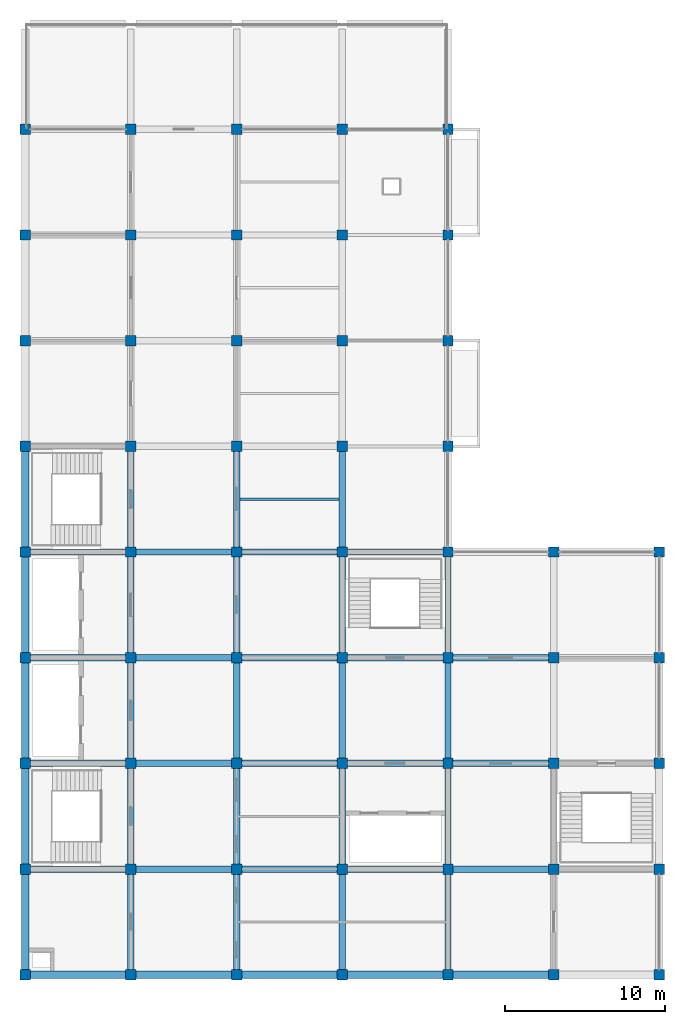
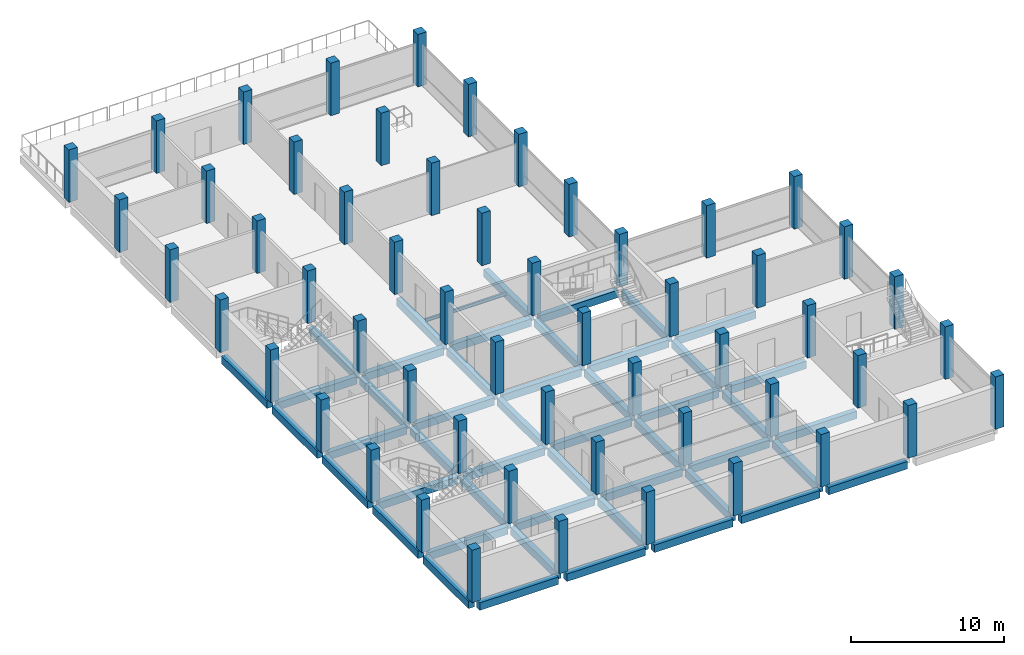
# One storey, part 1 of 11: 55 columns, 49 beams.
"""IFC4 building model written with IfcOpenShell, lengths in metres."""

from ifc_helpers import new_model, si_unit, direction, frame, origin, origin_2d, place, context, subcontext, project, spatial, rectangle, i_section, extrude, material, material_profile, profile_set, type_object, element, save


model = new_model("IFC4")

# Units and contexts
model_context = context("Model", 3, precision=1e-05, world=origin(), true_north=direction((0.0, 1.0)))
body_context = subcontext(model_context, "Body", "Model", "MODEL_VIEW")
ifc_project = project(units=[si_unit("LENGTHUNIT", "METRE"), si_unit("AREAUNIT", "SQUARE_METRE"), si_unit("VOLUMEUNIT", "CUBIC_METRE"), si_unit("PLANEANGLEUNIT", "RADIAN"), si_unit("MASSUNIT", "GRAM", prefix="KILO")], contexts=[model_context])

# Site, building, storey
site_placement = place(None, origin())
site = spatial("IfcSite", under=ifc_project, at=site_placement, CompositionType="ELEMENT")
building_placement = place(site_placement, origin())
building = spatial("IfcBuilding", under=site, at=building_placement, Name="Rusizi Kubbe Research Institute", CompositionType="ELEMENT")
storey_placement = place(building_placement, frame((0.0, 0.0, 56.39990234375)))
storey = spatial("IfcBuildingStorey", under=building, at=storey_placement, Name="L13", CompositionType="ELEMENT", Elevation=56.39990234375)

# Columns
ifc_material_1 = material(Name="Concrete C40/50", Category="concrete")
ifc_material_profile_1 = material_profile(ifc_material_1, rectangle(XDim=0.64990234375, YDim=0.64990234375, at=origin_2d()), Name="RC650x650")
ifc_profile_set_1 = profile_set([ifc_material_profile_1], Name="Concrete C40/50")
column_type = type_object("IfcColumnType", Name="COL-650", PredefinedType="COLUMN", material=ifc_profile_set_1)
for number, where, z_axis, x_axis, name in (
    (1, (0.0, 0.0, 0.0), (0.0, 0.0, 1.0), (1.0, 0.0, 0.0), "Column 1A L13"),
    (2, (0.0, 6.60009765625, 0.0), (0.0, 0.0, 1.0), (1.0, 0.0, 0.0), "Column 1B L13"),
    (3, (0.0, 13.199951171875, 0.0), (0.0, 0.0, 1.0), (1.0, 0.0, 0.0), "Column 1C L13"),
    (4, (0.0, 19.800048828125, 0.0), (0.0, 0.0, 1.0), (1.0, 0.0, 0.0), "Column 1D L13"),
    (5, (0.0, 26.39990234375, 0.0), (0.0, 0.0, 1.0), (1.0, 0.0, 0.0), "Column 1E L13"),
    (6, (0.0, 33.0, 0.0), (0.0, 0.0, 1.0), (1.0, 0.0, 0.0), "Column 1F L13"),
    (7, (0.0, 39.60009765625, 0.0), (0.0, 0.0, 1.0), (1.0, 0.0, 0.0), "Column 1G L13"),
    (8, (0.0, 46.199951171875, 0.0), (0.0, 0.0, 1.0), (1.0, 0.0, 0.0), "Column 1H L13"),
    (9, (0.0, 52.800048828125, 0.0), (0.0, 0.0, 1.0), (1.0, 0.0, 0.0), "Column 1J L13"),
    (10, (6.60009765625, 0.0, 0.0), (0.0, 0.0, 1.0), (1.0, 0.0, 0.0), "Column 2A L13"),
    (11, (6.60009765625, 6.60009765625, 0.0), (0.0, 0.0, 1.0), (1.0, 0.0, 0.0), "Column 2B L13"),
    (12, (6.60009765625, 13.199951171875, 0.0), (0.0, 0.0, 1.0), (1.0, 0.0, 0.0), "Column 2C L13"),
    (13, (6.60009765625, 19.800048828125, 0.0), (0.0, 0.0, 1.0), (1.0, 0.0, 0.0), "Column 2D L13"),
    (14, (6.60009765625, 26.39990234375, 0.0), (0.0, 0.0, 1.0), (1.0, 0.0, 0.0), "Column 2E L13"),
    (15, (6.60009765625, 33.0, 0.0), (0.0, 0.0, 1.0), (1.0, 0.0, 0.0), "Column 2F L13"),
    (16, (6.60009765625, 39.60009765625, 0.0), (0.0, 0.0, 1.0), (1.0, 0.0, 0.0), "Column 2G L13"),
    (17, (6.60009765625, 46.199951171875, 0.0), (0.0, 0.0, 1.0), (1.0, 0.0, 0.0), "Column 2H L13"),
    (18, (6.60009765625, 52.800048828125, 0.0), (0.0, 0.0, 1.0), (1.0, 0.0, 0.0), "Column 2J L13"),
    (19, (13.199951171875, 0.0, 0.0), (0.0, 0.0, 1.0), (1.0, 0.0, 0.0), "Column 3A L13"),
    (20, (13.199951171875, 6.60009765625, 0.0), (0.0, 0.0, 1.0), (1.0, 0.0, 0.0), "Column 3B L13"),
    (21, (13.199951171875, 13.199951171875, 0.0), (0.0, 0.0, 1.0), (1.0, 0.0, 0.0), "Column 3C L13"),
    (22, (13.199951171875, 19.800048828125, 0.0), (0.0, 0.0, 1.0), (1.0, 0.0, 0.0), "Column 3D L13"),
    (23, (13.199951171875, 26.39990234375, 0.0), (0.0, 0.0, 1.0), (1.0, 0.0, 0.0), "Column 3E L13"),
    (24, (13.199951171875, 33.0, 0.0), (0.0, 0.0, 1.0), (1.0, 0.0, 0.0), "Column 3F L13"),
    (25, (13.199951171875, 39.60009765625, 0.0), (0.0, 0.0, 1.0), (1.0, 0.0, 0.0), "Column 3G L13"),
    (26, (13.199951171875, 46.199951171875, 0.0), (0.0, 0.0, 1.0), (1.0, 0.0, 0.0), "Column 3H L13"),
    (27, (13.199951171875, 52.800048828125, 0.0), (0.0, 0.0, 1.0), (1.0, 0.0, 0.0), "Column 3J L13"),
    (28, (19.800048828125, 0.0, 0.0), (0.0, 0.0, 1.0), (1.0, 0.0, 0.0), "Column 4A L13"),
    (29, (19.800048828125, 6.60009765625, 0.0), (0.0, 0.0, 1.0), (1.0, 0.0, 0.0), "Column 4B L13"),
    (30, (19.800048828125, 13.199951171875, 0.0), (0.0, 0.0, 1.0), (1.0, 0.0, 0.0), "Column 4C L13"),
    (31, (19.800048828125, 19.800048828125, 0.0), (0.0, 0.0, 1.0), (1.0, 0.0, 0.0), "Column 4D L13"),
    (32, (19.800048828125, 26.39990234375, 0.0), (0.0, 0.0, 1.0), (1.0, 0.0, 0.0), "Column 4E L13"),
    (33, (19.800048828125, 33.0, 0.0), (0.0, 0.0, 1.0), (1.0, 0.0, 0.0), "Column 4F L13"),
    (34, (19.800048828125, 39.60009765625, 0.0), (0.0, 0.0, 1.0), (1.0, 0.0, 0.0), "Column 4G L13"),
    (35, (19.800048828125, 46.199951171875, 0.0), (0.0, 0.0, 1.0), (1.0, 0.0, 0.0), "Column 4H L13"),
    (36, (19.800048828125, 52.800048828125, 0.0), (0.0, 0.0, 1.0), (1.0, 0.0, 0.0), "Column 4J L13"),
    (37, (26.39990234375, 0.0, 0.0), (0.0, 0.0, 1.0), (1.0, 0.0, 0.0), "Column 5A L13"),
    (38, (26.39990234375, 6.60009765625, 0.0), (0.0, 0.0, 1.0), (1.0, 0.0, 0.0), "Column 5B L13"),
    (39, (26.39990234375, 13.199951171875, 0.0), (0.0, 0.0, 1.0), (1.0, 0.0, 0.0), "Column 5C L13"),
    (40, (26.39990234375, 19.800048828125, 0.0), (0.0, 0.0, 1.0), (1.0, 0.0, 0.0), "Column 5D L13"),
    (41, (26.39990234375, 26.39990234375, 0.0), (0.0, 0.0, 1.0), (1.0, 0.0, 0.0), "Column 5E L13"),
    (42, (26.39990234375, 33.0, 0.0), (0.0, 0.0, 1.0), (1.0, 0.0, 0.0), "Column 5F L13"),
    (43, (26.39990234375, 39.60009765625, 0.0), (0.0, 0.0, 1.0), (1.0, 0.0, 0.0), "Column 5G L13"),
    (44, (26.39990234375, 46.199951171875, 0.0), (0.0, 0.0, 1.0), (1.0, 0.0, 0.0), "Column 5H L13"),
    (45, (26.39990234375, 52.800048828125, 0.0), (0.0, 0.0, 1.0), (1.0, 0.0, 0.0), "Column 5J L13"),
    (46, (33.0, 0.0, 0.0), (0.0, 0.0, 1.0), (1.0, 0.0, 0.0), "Column 6A L13"),
    (47, (33.0, 6.60009765625, 0.0), (0.0, 0.0, 1.0), (1.0, 0.0, 0.0), "Column 6B L13"),
    (48, (33.0, 13.199951171875, 0.0), (0.0, 0.0, 1.0), (1.0, 0.0, 0.0), "Column 6C L13"),
    (49, (33.0, 19.800048828125, 0.0), (0.0, 0.0, 1.0), (1.0, 0.0, 0.0), "Column 6D L13"),
    (50, (33.0, 26.39990234375, 0.0), (0.0, 0.0, 1.0), (1.0, 0.0, 0.0), "Column 6E L13"),
    (51, (39.60009765625, 0.0, 0.0), (0.0, 0.0, 1.0), (1.0, 0.0, 0.0), "Column 7A L13"),
    (52, (39.60009765625, 6.60009765625, 0.0), (0.0, 0.0, 1.0), (1.0, 0.0, 0.0), "Column 7B L13"),
    (53, (39.60009765625, 13.199951171875, 0.0), (0.0, 0.0, 1.0), (1.0, 0.0, 0.0), "Column 7C L13"),
    (54, (39.60009765625, 19.800048828125, 0.0), (0.0, 0.0, 1.0), (1.0, 0.0, 0.0), "Column 7D L13"),
    (55, (39.60009765625, 26.39990234375, 0.0), (0.0, 0.0, 1.0), (1.0, 0.0, 0.0), "Column 7E L13"),
):
    element("IfcColumn", number, at=place(storey_placement, frame(where, z_axis=z_axis, x_axis=x_axis)), inside=storey, type_object=column_type, Name=name, PredefinedType="COLUMN", context=body_context, shape_type="SweptSolid", body=[
        extrude(rectangle(XDim=0.64990234375, YDim=0.64990234375, at=origin_2d()), origin(), (0.0, 0.0, 1.0), 4.2001953125),
    ])

# Beams
ifc_material_2 = material(Name="Steel S355", Category="steel")
ifc_material_profile_2 = material_profile(ifc_material_2, i_section(OverallWidth=0.135009765625, OverallDepth=0.27001953125, WebThickness=0.006591796875, FlangeThickness=0.01025390625, at=origin_2d()), Name="IPE 270")
ifc_profile_set_2 = profile_set([ifc_material_profile_2], Name="Steel S355")
beam_type_1 = type_object("IfcBeamType", Name="BM-IPE270", PredefinedType="JOIST", material=ifc_profile_set_2)
beam_1_placement = place(storey_placement, frame((13.39990234375, 29.699951171875, -0.434814453125), z_axis=(1.0, 0.0, 0.0), x_axis=(0.0, 1.0, 0.0)))
element("IfcBeam", 56, at=beam_1_placement, inside=storey, type_object=beam_type_1, Name="Lab Stiffener Joist L13 (2,4)", PredefinedType="JOIST", context=body_context, shape_type="SweptSolid", body=[
    extrude(i_section(OverallWidth=0.135009765625, OverallDepth=0.27001953125, WebThickness=0.006591796875, FlangeThickness=0.01025390625, at=origin_2d()), origin(), (0.0, 0.0, 1.0), 6.2001953125),
])
ifc_material_3 = material(Name="Concrete C40/50", Category="concrete")
ifc_material_profile_3 = material_profile(ifc_material_3, rectangle(XDim=0.39990234375, YDim=0.60009765625, at=origin_2d()), Name="RC400x600")
ifc_profile_set_3 = profile_set([ifc_material_profile_3], Name="Concrete C40/50")
beam_type_2 = type_object("IfcBeamType", Name="BM-RC400x600", PredefinedType="BEAM", material=ifc_profile_set_3)
for number, where, z_axis, x_axis, name in (
    (57, (0.324951171875, 6.60009765625, -0.599853515625), (1.0, 0.0, 0.0), (0.0, 1.0, 0.0), "Grid Beam H L13 (0,1)"),
    (58, (0.324951171875, 13.199951171875, -0.599853515625), (1.0, 0.0, 0.0), (0.0, 1.0, 0.0), "Grid Beam H L13 (0,2)"),
    (59, (0.324951171875, 19.800048828125, -0.599853515625), (1.0, 0.0, 0.0), (0.0, 1.0, 0.0), "Grid Beam H L13 (0,3)"),
    (60, (0.324951171875, 26.39990234375, -0.599853515625), (1.0, 0.0, 0.0), (0.0, 1.0, 0.0), "Grid Beam H L13 (0,4)"),
    (61, (6.925048828125, 6.60009765625, -0.599853515625), (1.0, 0.0, 0.0), (0.0, 1.0, 0.0), "Grid Beam H L13 (1,1)"),
    (62, (6.925048828125, 13.199951171875, -0.599853515625), (1.0, 0.0, 0.0), (0.0, 1.0, 0.0), "Grid Beam H L13 (1,2)"),
    (63, (6.925048828125, 19.800048828125, -0.599853515625), (1.0, 0.0, 0.0), (0.0, 1.0, 0.0), "Grid Beam H L13 (1,3)"),
    (64, (6.925048828125, 26.39990234375, -0.599853515625), (1.0, 0.0, 0.0), (0.0, 1.0, 0.0), "Grid Beam H L13 (1,4)"),
):
    element("IfcBeam", number, at=place(storey_placement, frame(where, z_axis=z_axis, x_axis=x_axis)), inside=storey, type_object=beam_type_2, Name=name, PredefinedType="BEAM", context=body_context, shape_type="SweptSolid", body=[
        extrude(rectangle(XDim=0.39990234375, YDim=0.60009765625, at=origin_2d()), origin(), (0.0, 0.0, 1.0), 5.949951171875),
    ])
for number, where, z_axis, x_axis, name in (
    (65, (13.52490234375, 6.60009765625, -0.599853515625), (1.0, 0.0, 0.0), (0.0, 1.0, 0.0), "Grid Beam H L13 (2,1)"),
    (66, (13.52490234375, 13.199951171875, -0.599853515625), (1.0, 0.0, 0.0), (0.0, 1.0, 0.0), "Grid Beam H L13 (2,2)"),
    (67, (13.52490234375, 19.800048828125, -0.599853515625), (1.0, 0.0, 0.0), (0.0, 1.0, 0.0), "Grid Beam H L13 (2,3)"),
    (68, (13.52490234375, 26.39990234375, -0.599853515625), (1.0, 0.0, 0.0), (0.0, 1.0, 0.0), "Grid Beam H L13 (2,4)"),
):
    element("IfcBeam", number, at=place(storey_placement, frame(where, z_axis=z_axis, x_axis=x_axis)), inside=storey, type_object=beam_type_2, Name=name, PredefinedType="BEAM", context=body_context, shape_type="SweptSolid", body=[
        extrude(rectangle(XDim=0.39990234375, YDim=0.60009765625, at=origin_2d()), origin(), (0.0, 0.0, 1.0), 5.9501953125),
    ])
for number, where, z_axis, x_axis, name in (
    (69, (20.125, 6.60009765625, -0.599853515625), (1.0, 0.0, 0.0), (0.0, 1.0, 0.0), "Grid Beam H L13 (3,1)"),
    (70, (20.125, 13.199951171875, -0.599853515625), (1.0, 0.0, 0.0), (0.0, 1.0, 0.0), "Grid Beam H L13 (3,2)"),
    (71, (20.125, 19.800048828125, -0.599853515625), (1.0, 0.0, 0.0), (0.0, 1.0, 0.0), "Grid Beam H L13 (3,3)"),
    (72, (20.125, 26.39990234375, -0.599853515625), (1.0, 0.0, 0.0), (0.0, 1.0, 0.0), "Grid Beam H L13 (3,4)"),
    (73, (26.72509765625, 6.60009765625, -0.599853515625), (1.0, 0.0, 0.0), (0.0, 1.0, 0.0), "Grid Beam H L13 (4,1)"),
    (74, (26.72509765625, 13.199951171875, -0.599853515625), (1.0, 0.0, 0.0), (0.0, 1.0, 0.0), "Grid Beam H L13 (4,2)"),
    (75, (26.72509765625, 19.800048828125, -0.599853515625), (1.0, 0.0, 0.0), (0.0, 1.0, 0.0), "Grid Beam H L13 (4,3)"),
    (76, (6.60009765625, 0.324951171875, -0.599853515625), (0.0, 1.0, 0.0), (-1.0, 0.0, 0.0), "Grid Beam V L13 (1,0)"),
    (77, (6.60009765625, 6.925048828125, -0.599853515625), (0.0, 1.0, 0.0), (-1.0, 0.0, 0.0), "Grid Beam V L13 (1,1)"),
):
    element("IfcBeam", number, at=place(storey_placement, frame(where, z_axis=z_axis, x_axis=x_axis)), inside=storey, type_object=beam_type_2, Name=name, PredefinedType="BEAM", context=body_context, shape_type="SweptSolid", body=[
        extrude(rectangle(XDim=0.39990234375, YDim=0.60009765625, at=origin_2d()), origin(), (0.0, 0.0, 1.0), 5.949951171875),
    ])
beam_2_placement = place(storey_placement, frame((6.60009765625, 13.52490234375, -0.599853515625), z_axis=(0.0, 1.0, 0.0), x_axis=(-1.0, 0.0, 0.0)))
element("IfcBeam", 78, at=beam_2_placement, inside=storey, type_object=beam_type_2, Name="Grid Beam V L13 (1,2)", PredefinedType="BEAM", context=body_context, shape_type="SweptSolid", body=[
    extrude(rectangle(XDim=0.39990234375, YDim=0.60009765625, at=origin_2d()), origin(), (0.0, 0.0, 1.0), 5.9501953125),
])
for number, where, z_axis, x_axis, name in (
    (79, (6.60009765625, 20.125, -0.599853515625), (0.0, 1.0, 0.0), (-1.0, 0.0, 0.0), "Grid Beam V L13 (1,3)"),
    (80, (6.60009765625, 26.72509765625, -0.599853515625), (0.0, 1.0, 0.0), (-1.0, 0.0, 0.0), "Grid Beam V L13 (1,4)"),
    (81, (13.199951171875, 0.324951171875, -0.599853515625), (0.0, 1.0, 0.0), (-1.0, 0.0, 0.0), "Grid Beam V L13 (2,0)"),
    (82, (13.199951171875, 6.925048828125, -0.599853515625), (0.0, 1.0, 0.0), (-1.0, 0.0, 0.0), "Grid Beam V L13 (2,1)"),
):
    element("IfcBeam", number, at=place(storey_placement, frame(where, z_axis=z_axis, x_axis=x_axis)), inside=storey, type_object=beam_type_2, Name=name, PredefinedType="BEAM", context=body_context, shape_type="SweptSolid", body=[
        extrude(rectangle(XDim=0.39990234375, YDim=0.60009765625, at=origin_2d()), origin(), (0.0, 0.0, 1.0), 5.949951171875),
    ])
beam_3_placement = place(storey_placement, frame((13.199951171875, 13.52490234375, -0.599853515625), z_axis=(0.0, 1.0, 0.0), x_axis=(-1.0, 0.0, 0.0)))
element("IfcBeam", 83, at=beam_3_placement, inside=storey, type_object=beam_type_2, Name="Grid Beam V L13 (2,2)", PredefinedType="BEAM", context=body_context, shape_type="SweptSolid", body=[
    extrude(rectangle(XDim=0.39990234375, YDim=0.60009765625, at=origin_2d()), origin(), (0.0, 0.0, 1.0), 5.9501953125),
])
for number, where, z_axis, x_axis, name in (
    (84, (13.199951171875, 20.125, -0.599853515625), (0.0, 1.0, 0.0), (-1.0, 0.0, 0.0), "Grid Beam V L13 (2,3)"),
    (85, (13.199951171875, 26.72509765625, -0.599853515625), (0.0, 1.0, 0.0), (-1.0, 0.0, 0.0), "Grid Beam V L13 (2,4)"),
    (86, (19.800048828125, 0.324951171875, -0.599853515625), (0.0, 1.0, 0.0), (-1.0, 0.0, 0.0), "Grid Beam V L13 (3,0)"),
    (87, (19.800048828125, 6.925048828125, -0.599853515625), (0.0, 1.0, 0.0), (-1.0, 0.0, 0.0), "Grid Beam V L13 (3,1)"),
):
    element("IfcBeam", number, at=place(storey_placement, frame(where, z_axis=z_axis, x_axis=x_axis)), inside=storey, type_object=beam_type_2, Name=name, PredefinedType="BEAM", context=body_context, shape_type="SweptSolid", body=[
        extrude(rectangle(XDim=0.39990234375, YDim=0.60009765625, at=origin_2d()), origin(), (0.0, 0.0, 1.0), 5.949951171875),
    ])
beam_4_placement = place(storey_placement, frame((19.800048828125, 13.52490234375, -0.599853515625), z_axis=(0.0, 1.0, 0.0), x_axis=(-1.0, 0.0, 0.0)))
element("IfcBeam", 88, at=beam_4_placement, inside=storey, type_object=beam_type_2, Name="Grid Beam V L13 (3,2)", PredefinedType="BEAM", context=body_context, shape_type="SweptSolid", body=[
    extrude(rectangle(XDim=0.39990234375, YDim=0.60009765625, at=origin_2d()), origin(), (0.0, 0.0, 1.0), 5.9501953125),
])
for number, where, z_axis, x_axis, name in (
    (89, (19.800048828125, 20.125, -0.599853515625), (0.0, 1.0, 0.0), (-1.0, 0.0, 0.0), "Grid Beam V L13 (3,3)"),
    (90, (19.800048828125, 26.72509765625, -0.599853515625), (0.0, 1.0, 0.0), (-1.0, 0.0, 0.0), "Grid Beam V L13 (3,4)"),
    (91, (26.39990234375, 0.324951171875, -0.599853515625), (0.0, 1.0, 0.0), (-1.0, 0.0, 0.0), "Grid Beam V L13 (4,0)"),
    (92, (26.39990234375, 6.925048828125, -0.599853515625), (0.0, 1.0, 0.0), (-1.0, 0.0, 0.0), "Grid Beam V L13 (4,1)"),
):
    element("IfcBeam", number, at=place(storey_placement, frame(where, z_axis=z_axis, x_axis=x_axis)), inside=storey, type_object=beam_type_2, Name=name, PredefinedType="BEAM", context=body_context, shape_type="SweptSolid", body=[
        extrude(rectangle(XDim=0.39990234375, YDim=0.60009765625, at=origin_2d()), origin(), (0.0, 0.0, 1.0), 5.949951171875),
    ])
beam_5_placement = place(storey_placement, frame((26.39990234375, 13.52490234375, -0.599853515625), z_axis=(0.0, 1.0, 0.0), x_axis=(-1.0, 0.0, 0.0)))
element("IfcBeam", 93, at=beam_5_placement, inside=storey, type_object=beam_type_2, Name="Grid Beam V L13 (4,2)", PredefinedType="BEAM", context=body_context, shape_type="SweptSolid", body=[
    extrude(rectangle(XDim=0.39990234375, YDim=0.60009765625, at=origin_2d()), origin(), (0.0, 0.0, 1.0), 5.9501953125),
])
beam_6_placement = place(storey_placement, frame((26.39990234375, 20.125, -0.599853515625), z_axis=(0.0, 1.0, 0.0), x_axis=(-1.0, 0.0, 0.0)))
element("IfcBeam", 94, at=beam_6_placement, inside=storey, type_object=beam_type_2, Name="Grid Beam V L13 (4,3)", PredefinedType="BEAM", context=body_context, shape_type="SweptSolid", body=[
    extrude(rectangle(XDim=0.39990234375, YDim=0.60009765625, at=origin_2d()), origin(), (0.0, 0.0, 1.0), 5.949951171875),
])
ifc_material_4 = material(Name="Concrete C40/50", Category="concrete")
ifc_material_profile_4 = material_profile(ifc_material_4, rectangle(XDim=0.449951171875, YDim=0.60009765625, at=origin_2d()), Name="RC450x600")
ifc_profile_set_4 = profile_set([ifc_material_profile_4], Name="Concrete C40/50")
beam_type_3 = type_object("IfcBeamType", Name="BM-RC450x600", PredefinedType="SPANDREL", material=ifc_profile_set_4)
for number, where, z_axis, x_axis, name in (
    (95, (0.324951171875, 0.0, -0.599853515625), (1.0, 0.0, 0.0), (0.0, 1.0, 0.0), "Grid Beam H L13 (0,0)"),
    (96, (6.925048828125, 0.0, -0.599853515625), (1.0, 0.0, 0.0), (0.0, 1.0, 0.0), "Grid Beam H L13 (1,0)"),
):
    element("IfcBeam", number, at=place(storey_placement, frame(where, z_axis=z_axis, x_axis=x_axis)), inside=storey, type_object=beam_type_3, Name=name, PredefinedType="SPANDREL", context=body_context, shape_type="SweptSolid", body=[
        extrude(rectangle(XDim=0.449951171875, YDim=0.60009765625, at=origin_2d()), origin(), (0.0, 0.0, 1.0), 5.949951171875),
    ])
beam_7_placement = place(storey_placement, frame((13.52490234375, 0.0, -0.599853515625), z_axis=(1.0, 0.0, 0.0), x_axis=(0.0, 1.0, 0.0)))
element("IfcBeam", 97, at=beam_7_placement, inside=storey, type_object=beam_type_3, Name="Grid Beam H L13 (2,0)", PredefinedType="SPANDREL", context=body_context, shape_type="SweptSolid", body=[
    extrude(rectangle(XDim=0.449951171875, YDim=0.60009765625, at=origin_2d()), origin(), (0.0, 0.0, 1.0), 5.9501953125),
])
for number, where, z_axis, x_axis, name in (
    (98, (20.125, 0.0, -0.599853515625), (1.0, 0.0, 0.0), (0.0, 1.0, 0.0), "Grid Beam H L13 (3,0)"),
    (99, (26.72509765625, 0.0, -0.599853515625), (1.0, 0.0, 0.0), (0.0, 1.0, 0.0), "Grid Beam H L13 (4,0)"),
    (100, (0.0, 0.324951171875, -0.599853515625), (0.0, 1.0, 0.0), (-1.0, 0.0, 0.0), "Grid Beam V L13 (0,0)"),
    (101, (0.0, 6.925048828125, -0.599853515625), (0.0, 1.0, 0.0), (-1.0, 0.0, 0.0), "Grid Beam V L13 (0,1)"),
):
    element("IfcBeam", number, at=place(storey_placement, frame(where, z_axis=z_axis, x_axis=x_axis)), inside=storey, type_object=beam_type_3, Name=name, PredefinedType="SPANDREL", context=body_context, shape_type="SweptSolid", body=[
        extrude(rectangle(XDim=0.449951171875, YDim=0.60009765625, at=origin_2d()), origin(), (0.0, 0.0, 1.0), 5.949951171875),
    ])
beam_8_placement = place(storey_placement, frame((0.0, 13.52490234375, -0.599853515625), z_axis=(0.0, 1.0, 0.0), x_axis=(-1.0, 0.0, 0.0)))
element("IfcBeam", 102, at=beam_8_placement, inside=storey, type_object=beam_type_3, Name="Grid Beam V L13 (0,2)", PredefinedType="SPANDREL", context=body_context, shape_type="SweptSolid", body=[
    extrude(rectangle(XDim=0.449951171875, YDim=0.60009765625, at=origin_2d()), origin(), (0.0, 0.0, 1.0), 5.9501953125),
])
for number, where, z_axis, x_axis, name in (
    (103, (0.0, 20.125, -0.599853515625), (0.0, 1.0, 0.0), (-1.0, 0.0, 0.0), "Grid Beam V L13 (0,3)"),
    (104, (0.0, 26.72509765625, -0.599853515625), (0.0, 1.0, 0.0), (-1.0, 0.0, 0.0), "Grid Beam V L13 (0,4)"),
):
    element("IfcBeam", number, at=place(storey_placement, frame(where, z_axis=z_axis, x_axis=x_axis)), inside=storey, type_object=beam_type_3, Name=name, PredefinedType="SPANDREL", context=body_context, shape_type="SweptSolid", body=[
        extrude(rectangle(XDim=0.449951171875, YDim=0.60009765625, at=origin_2d()), origin(), (0.0, 0.0, 1.0), 5.949951171875),
    ])

save(model, "model.ifc")
